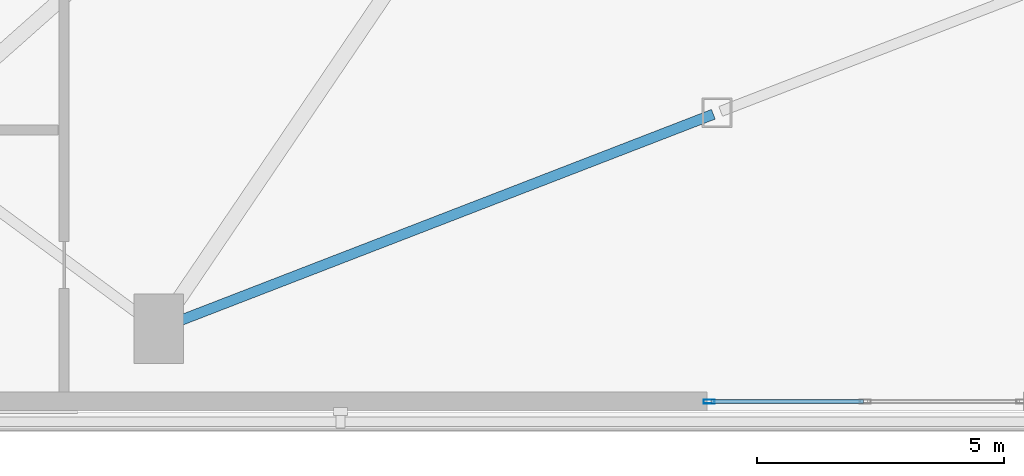
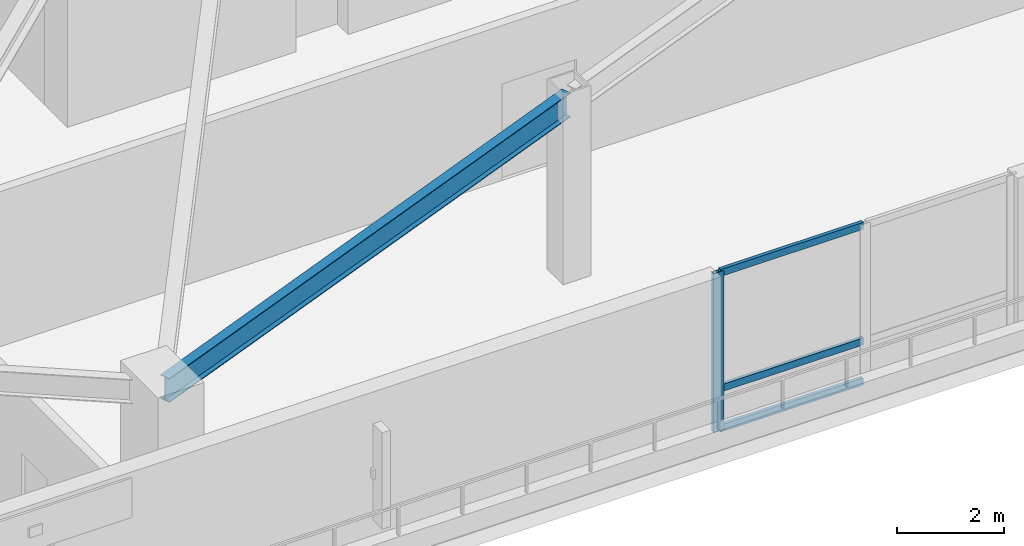
# One storey, part 2 of 16: 4 members, 1 beam, 1 element without a shape of its own.
"""IFC4 building model written with IfcOpenShell, lengths in metres."""

from ifc_helpers import new_model, si_unit, direction, frame, origin, origin_2d, place, context, subcontext, project, spatial, hollow_rectangle, i_section, extrude, source, transform, mapped, material, material_profile, profile_set, type_object, element, aggregate, save


model = new_model("IFC4")

# Units and contexts
model_context = context("Model", 3, precision=1e-05, world=origin(), true_north=direction((0.0, 1.0)))
body_context = subcontext(model_context, "Body", "Model", "MODEL_VIEW")
ifc_project = project(units=[si_unit("LENGTHUNIT", "METRE"), si_unit("AREAUNIT", "SQUARE_METRE"), si_unit("VOLUMEUNIT", "CUBIC_METRE"), si_unit("PLANEANGLEUNIT", "RADIAN"), si_unit("MASSUNIT", "GRAM", prefix="KILO")], contexts=[model_context])

# Site, building, storey
site_placement = place(None, origin())
site = spatial("IfcSite", under=ifc_project, at=site_placement, CompositionType="ELEMENT")
building_placement = place(site_placement, origin())
building = spatial("IfcBuilding", under=site, at=building_placement, Name="Olszyna Solenne Hotel", CompositionType="ELEMENT")
storey_placement = place(building_placement, frame((0.0, 0.0, 15.60009765625)))
storey = spatial("IfcBuildingStorey", under=building, at=storey_placement, Name="L03", CompositionType="ELEMENT", Elevation=15.60009765625)

# Beam
ifc_material_1 = material(Name="Steel S355J2", Category="steel")
ifc_material_profile_1 = material_profile(ifc_material_1, i_section(OverallWidth=0.2099609375, OverallDepth=0.550048828125, WebThickness=0.010986328125, FlangeThickness=0.01708984375, at=origin_2d()), Name="IPE 550", Category="load-bearing")
ifc_profile_set_1 = profile_set([ifc_material_profile_1], Name="Steel S355J2")
beam_type = type_object("IfcBeamType", Name="BM-F2", PredefinedType="BEAM", material=ifc_profile_set_1)
shared_shape_1 = source(origin(), body_context, "Body", "SweptSolid", [
    extrude(i_section(OverallWidth=0.2099609375, OverallDepth=0.550048828125, WebThickness=0.010986328125, FlangeThickness=0.01708984375, at=origin_2d()), origin(), (0.0, 0.0, 1.0), 11.941162109375),
])
beam_placement = place(storey_placement, frame((23.788818359375, 5.549072265625, 3.90478515625), z_axis=(0.932645120915, 0.360795064314, 0.0), x_axis=(-0.360795064314, 0.932645120915, 0.0)))
element("IfcBeam", 1, at=beam_placement, inside=storey, type_object=beam_type, Name="Podium ring girder BM-F2 B-L03-0125", PredefinedType="BEAM", context=body_context, shape_type="MappedRepresentation", body=[
    mapped(shared_shape_1, transform((0.0, 0.0, 0.0), x_axis=(1.0, 0.0, 0.0), y_axis=(0.0, 1.0, 0.0), z_axis=(0.0, 0.0, 1.0), scale=1.0)),
])

# Curtain wall, members
ifc_material_2 = material(Name="Anodised bronze aluminium", Category="aluminium")
curtain_wall_type = type_object("IfcCurtainWallType", Name="CW-SYS-1", PredefinedType="NOTDEFINED", material=ifc_material_2)
curtain_wall_placement = place(storey_placement, origin())
curtain_wall = element("IfcCurtainWall", 2, at=curtain_wall_placement, inside=storey, type_object=curtain_wall_type, Name="Unitised curtain wall CW-SYS-1 CW-L03-01", PredefinedType="NOTDEFINED")
ifc_material_profile_2 = material_profile(ifc_material_2, hollow_rectangle(XDim=0.074951171875, YDim=0.159912109375, WallThickness=0.00390625, at=origin_2d()), Name="TRAN 160x75x4", Category="load-bearing")
ifc_profile_set_2 = profile_set([ifc_material_profile_2], Name="Anodised bronze aluminium")
member_type_1 = type_object("IfcMemberType", Name="CW-T1", PredefinedType="USERDEFINED", material=ifc_profile_set_2)
shared_shape_2 = source(origin(), body_context, "Body", "SweptSolid", [
    extrude(hollow_rectangle(XDim=0.074951171875, YDim=0.159912109375, WallThickness=0.00390625, at=origin_2d()), origin(), (0.0, 0.0, 1.0), 3.080078125),
])
member_1_placement = place(storey_placement, frame((34.8798828125, 4.050048828125, 0.037353515625), z_axis=(1.0, 0.0, 0.0), x_axis=(0.0, 1.0, 0.0)))
member_1 = element("IfcMember", 3, at=member_1_placement, type_object=member_type_1, Name="Curtain-wall transom CW-T1 CT-L03-01-01", ObjectType="TRANSOM", PredefinedType="USERDEFINED", context=body_context, shape_type="MappedRepresentation", body=[
    mapped(shared_shape_2, transform((0.0, 0.0, 0.0), x_axis=(1.0, 0.0, 0.0), y_axis=(0.0, 1.0, 0.0), z_axis=(0.0, 0.0, 1.0), scale=1.0)),
])
member_2_placement = place(storey_placement, frame((34.8798828125, 4.050048828125, 0.949951171875), z_axis=(1.0, 0.0, 0.0), x_axis=(0.0, 1.0, 0.0)))
member_2 = element("IfcMember", 4, at=member_2_placement, type_object=member_type_1, Name="Curtain-wall transom CW-T1 CT-L03-01-02", ObjectType="TRANSOM", PredefinedType="USERDEFINED", context=body_context, shape_type="MappedRepresentation", body=[
    mapped(shared_shape_2, transform((0.0, 0.0, 0.0), x_axis=(1.0, 0.0, 0.0), y_axis=(0.0, 1.0, 0.0), z_axis=(0.0, 0.0, 1.0), scale=1.0)),
])
member_3_placement = place(storey_placement, frame((34.8798828125, 4.050048828125, 3.58447265625), z_axis=(1.0, 0.0, 0.0), x_axis=(0.0, 1.0, 0.0)))
member_3 = element("IfcMember", 5, at=member_3_placement, type_object=member_type_1, Name="Curtain-wall transom CW-T1 CT-L03-01-03", ObjectType="TRANSOM", PredefinedType="USERDEFINED", context=body_context, shape_type="MappedRepresentation", body=[
    mapped(shared_shape_2, transform((0.0, 0.0, 0.0), x_axis=(1.0, 0.0, 0.0), y_axis=(0.0, 1.0, 0.0), z_axis=(0.0, 0.0, 1.0), scale=1.0)),
])
ifc_material_profile_3 = material_profile(ifc_material_2, hollow_rectangle(XDim=0.080078125, YDim=0.219970703125, WallThickness=0.0048828125, at=origin_2d()), Name="MULL 220x80x5", Category="load-bearing")
ifc_profile_set_3 = profile_set([ifc_material_profile_3], Name="Anodised bronze aluminium")
member_type_2 = type_object("IfcMemberType", Name="CW-M1", PredefinedType="MULLION", material=ifc_profile_set_3)
shared_shape_3 = source(origin(), body_context, "Body", "SweptSolid", [
    extrude(hollow_rectangle(XDim=0.080078125, YDim=0.219970703125, WallThickness=0.0048828125, at=origin_2d()), origin(), (0.0, 0.0, 1.0), 3.621826171875),
])
member_4_placement = place(storey_placement, frame((34.840087890625, 4.050048828125, 0.0), z_axis=(0.0, 0.0, 1.0), x_axis=(0.0, 1.0, 0.0)))
member_4 = element("IfcMember", 6, at=member_4_placement, type_object=member_type_2, Name="Curtain-wall mullion CW-M1 CM-L03-01-01", PredefinedType="MULLION", context=body_context, shape_type="MappedRepresentation", body=[
    mapped(shared_shape_3, transform((0.0, 0.0, 0.0), x_axis=(1.0, 0.0, 0.0), y_axis=(0.0, 1.0, 0.0), z_axis=(0.0, 0.0, 1.0), scale=1.0)),
])
aggregate(curtain_wall, [member_4, member_1, member_2, member_3])

save(model, "model.ifc")
